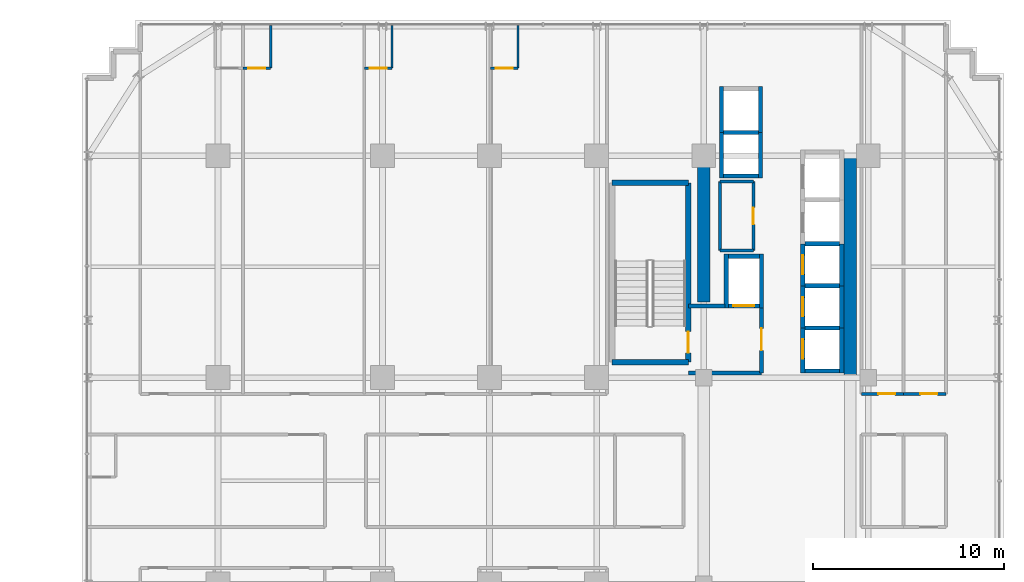
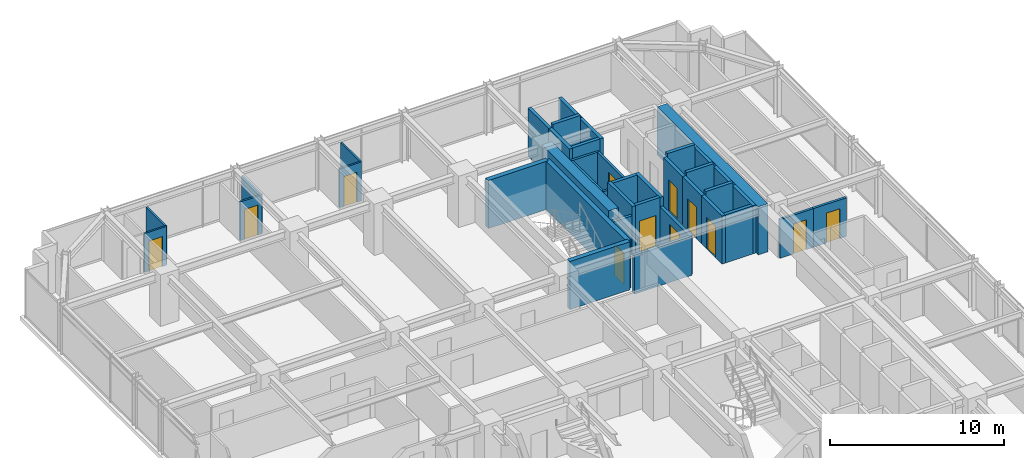
# One storey, part 28 of 32: 40 walls, 12 doors, 12 openings.
"""IFC4 building model written with IfcOpenShell, lengths in metres."""

from ifc_helpers import new_model, si_unit, direction, frame, frame_2d, origin, place, context, subcontext, project, spatial, rectangle, extrude, source, transform, mapped, material, layer, layer_set, type_object, element, fill, save


model = new_model("IFC4")

# Units and contexts
model_context = context("Model", 3, precision=1e-05, world=origin(), true_north=direction((0.0, 1.0)))
body_context = subcontext(model_context, "Body", "Model", "MODEL_VIEW")
ifc_project = project(units=[si_unit("LENGTHUNIT", "METRE"), si_unit("AREAUNIT", "SQUARE_METRE"), si_unit("VOLUMEUNIT", "CUBIC_METRE"), si_unit("PLANEANGLEUNIT", "RADIAN"), si_unit("MASSUNIT", "GRAM", prefix="KILO")], contexts=[model_context])

# Site, building, storey
site_placement = place(None, origin())
site = spatial("IfcSite", under=ifc_project, at=site_placement, CompositionType="ELEMENT")
building_placement = place(site_placement, origin())
building = spatial("IfcBuilding", under=site, at=building_placement, Name="Nahalor Promenade Grand Hotel", CompositionType="ELEMENT")
storey_placement = place(building_placement, frame((0.0, 0.0, 124.800048828125)))
storey = spatial("IfcBuildingStorey", under=building, at=storey_placement, Name="L31", CompositionType="ELEMENT", Elevation=124.800048828125)

# Walls
ifc_material_1 = material(Name="Concrete B-60 (C50/60)", Category="concrete")
ifc_layer_1 = layer(ifc_material_1, 0.64990234375)
ifc_layer_set_1 = layer_set([ifc_layer_1], Name="Concrete B-60 (C50/60)")
wall_type_1 = type_object("IfcWallType", Name="Wall-CoreShear-650", PredefinedType="SHEAR", material=ifc_layer_set_1)
shared_shape_1 = source(origin(), body_context, "Body", "SweptSolid", [
    extrude(rectangle(XDim=7.64990234375, YDim=0.64990234375, at=frame_2d((3.824951171875, 0.0))), origin(), (0.0, 0.0, 1.0), 3.3798828125),
])
wall_1_placement = place(storey_placement, frame((8.39990234375, 9.35009765625, 0.0), z_axis=(0.0, 0.0, 1.0), x_axis=(0.0, 1.0, 0.0)))
element("IfcWall", 1, at=wall_1_placement, inside=storey, type_object=wall_type_1, Name="CWALL-L31-NW", PredefinedType="SHEAR", context=body_context, shape_type="MappedRepresentation", body=[
    mapped(shared_shape_1, transform((0.0, 0.0, 0.0), scale=1.0)),
])
shared_shape_2 = source(origin(), body_context, "Body", "SweptSolid", [
    extrude(rectangle(XDim=11.60009765625, YDim=0.64990234375, at=frame_2d((5.800048828125, 0.0))), origin(), (0.0, 0.0, 1.0), 3.3798828125),
])
wall_2_placement = place(storey_placement, frame((16.050048828125, 5.39990234375, 0.0), z_axis=(0.0, 0.0, 1.0), x_axis=(0.0, 1.0, 0.0)))
element("IfcWall", 2, at=wall_2_placement, inside=storey, type_object=wall_type_1, Name="CWALL-L31-NE", PredefinedType="SHEAR", context=body_context, shape_type="MappedRepresentation", body=[
    mapped(shared_shape_2, transform((0.0, 0.0, 0.0), scale=1.0)),
])
ifc_material_2 = material(Name="Concrete B-50 (C40/50)", Category="concrete")
ifc_layer_2 = layer(ifc_material_2, 0.300048828125)
ifc_layer_set_2 = layer_set([ifc_layer_2], Name="Concrete B-50 (C40/50)")
wall_type_2 = type_object("IfcWallType", Name="Wall-ShaftShear-300", PredefinedType="SHEAR", material=ifc_layer_set_2)
shared_shape_3 = source(origin(), body_context, "Body", "SweptSolid", [
    extrude(rectangle(XDim=3.97998046875, YDim=0.300048828125, at=frame_2d((1.989990234375, 0.0))), origin(), (0.0, 0.0, 1.0), 3.3798828125),
])
for number, where, z_axis, x_axis, name in (
    (3, (3.610107421875, 6.2099609375, 0.0), (0.0, 0.0, 1.0), (1.0, 0.0, 0.0), "L31 Exit Stair ST1 Shaft Wall S"),
    (4, (3.610107421875, 15.590087890625, 0.0), (0.0, 0.0, 1.0), (1.0, 0.0, 0.0), "L31 Exit Stair ST1 Shaft Wall N"),
):
    element("IfcWall", number, at=place(storey_placement, frame(where, z_axis=z_axis, x_axis=x_axis)), inside=storey, type_object=wall_type_2, Name=name, PredefinedType="SHEAR", context=body_context, shape_type="MappedRepresentation", body=[
        mapped(shared_shape_3, transform((0.0, 0.0, 0.0), scale=1.0)),
    ])

# Wall, opening, door
shared_shape_4 = source(origin(), body_context, "Body", "SweptSolid", [
    extrude(rectangle(XDim=9.380126953125, YDim=0.300048828125, at=frame_2d((4.68994140625, 0.0))), origin(), (0.0, 0.0, 1.0), 3.3798828125),
])
wall_3_placement = place(storey_placement, frame((7.590087890625, 6.2099609375, 0.0), z_axis=(0.0, 0.0, 1.0), x_axis=(0.0, 1.0, 0.0)))
wall_3 = element("IfcWall", 5, at=wall_3_placement, inside=storey, type_object=wall_type_2, Name="L31 Exit Stair ST1 Shaft Wall E", PredefinedType="SHEAR", context=body_context, shape_type="MappedRepresentation", body=[
    mapped(shared_shape_4, transform((0.0, 0.0, 0.0), scale=1.0)),
])
opening_1_placement = place(wall_3_placement, frame((0.489990234375, 0.0, 0.0)))
opening_1 = element("IfcOpeningElement", 6, at=opening_1_placement, cuts=wall_3, Name="Opening D-ST1", PredefinedType="OPENING", context=body_context, shape_type="SweptSolid", body=[
    extrude(rectangle(XDim=1.10009765625, YDim=2.14990234375, at=frame_2d((0.550048828125, 1.074951171875))), frame((0.0, 0.159912109375, 0.0), z_axis=(0.0, -1.0, 0.0), x_axis=(1.0, 0.0, 0.0)), (0.0, 0.0, 1.0), 0.320068359375),
])
ifc_material_3 = material(Name="Steel S355JR", Category="steel")
door_type_1 = type_object("IfcDoorType", Name="Door-StairFire-1100", OperationType="NOTDEFINED", PredefinedType="DOOR", material=ifc_material_3)
shared_shape_5 = source(origin(), body_context, "Body", "SweptSolid", [
    extrude(rectangle(XDim=1.10009765625, YDim=2.14990234375, at=frame_2d((0.550048828125, 1.074951171875))), frame((0.0, 0.02490234375, 0.0), z_axis=(0.0, -1.0, 0.0), x_axis=(1.0, 0.0, 0.0)), (0.0, 0.0, 1.0), 0.050048828125),
])
door_1_placement = place(opening_1_placement, origin())
door_1 = element("IfcDoor", 7, at=door_1_placement, inside=storey, type_object=door_type_1, Name="DR-STAIR-ST1-L31", OperationType="SINGLE_SWING_RIGHT", OverallHeight=2.14990234375, OverallWidth=1.10009765625, PredefinedType="DOOR", context=body_context, shape_type="MappedRepresentation", body=[
    mapped(shared_shape_5, transform((0.0, 0.0, 0.0), scale=1.0)),
])
fill(opening_1, door_1)

# Walls
ifc_layer_3 = layer(ifc_material_2, 0.219970703125)
ifc_layer_set_3 = layer_set([ifc_layer_3], Name="Concrete B-50 (C40/50)")
wall_type_3 = type_object("IfcWallType", Name="Wall-LiftShaft-220", PredefinedType="SHEAR", material=ifc_layer_set_3)
shared_shape_6 = source(origin(), body_context, "Body", "SweptSolid", [
    extrude(rectangle(XDim=1.820068359375, YDim=0.219970703125, at=frame_2d((0.91015625, 0.0))), origin(), (0.0, 0.0, 1.0), 3.64990234375),
])
for number, where, z_axis, x_axis, name in (
    (8, (13.68994140625, 8.0, 0.0), (0.0, 0.0, 1.0), (1.0, 0.0, 0.0), "L31 Lift PL1 Hoistway Wall N"),
    (9, (13.68994140625, 10.199951171875, 0.0), (0.0, 0.0, 1.0), (1.0, 0.0, 0.0), "L31 Lift PL2 Hoistway Wall N"),
    (10, (13.68994140625, 12.39990234375, 0.0), (0.0, 0.0, 1.0), (1.0, 0.0, 0.0), "L31 Lift PL3 Hoistway Wall N"),
    (11, (9.43994140625, 18.22509765625, 0.0), (0.0, 0.0, 1.0), (1.0, 0.0, 0.0), "L31 Lift OB1 Hoistway Wall N"),
):
    element("IfcWall", number, at=place(storey_placement, frame(where, z_axis=z_axis, x_axis=x_axis)), inside=storey, type_object=wall_type_3, Name=name, PredefinedType="SHEAR", context=body_context, shape_type="MappedRepresentation", body=[
        mapped(shared_shape_6, transform((0.0, 0.0, 0.0), scale=1.0)),
    ])

# Wall, opening, door
shared_shape_7 = source(origin(), body_context, "Body", "SweptSolid", [
    extrude(rectangle(XDim=2.360107421875, YDim=0.219970703125, at=frame_2d((1.18017578125, 0.0))), origin(), (0.0, 0.0, 1.0), 3.3798828125),
])
wall_4_placement = place(storey_placement, frame((13.580078125, 5.639892578125, 0.0), z_axis=(0.0, 0.0, 1.0), x_axis=(0.0, 1.0, 0.0)))
wall_4 = element("IfcWall", 12, at=wall_4_placement, inside=storey, type_object=wall_type_3, Name="L31 Lift PL1 Hoistway Wall W", PredefinedType="SHEAR", context=body_context, shape_type="MappedRepresentation", body=[
    mapped(shared_shape_7, transform((0.0, 0.0, 0.0), scale=1.0)),
])
opening_2_placement = place(wall_4_placement, frame((0.760009765625, 0.0, 0.0)))
opening_2 = element("IfcOpeningElement", 13, at=opening_2_placement, cuts=wall_4, Name="Opening LD-01", PredefinedType="OPENING", context=body_context, shape_type="SweptSolid", body=[
    extrude(rectangle(XDim=1.0, YDim=2.199951171875, at=frame_2d((0.5, 1.10009765625))), frame((0.0, 0.119873046875, 0.0), z_axis=(0.0, -1.0, 0.0), x_axis=(1.0, 0.0, 0.0)), (0.0, 0.0, 1.0), 0.239990234375),
])
door_type_2 = type_object("IfcDoorType", Name="Door-LiftLanding-1000", OperationType="DOUBLE_DOOR_SLIDING", PredefinedType="DOOR", material=ifc_material_3)
shared_shape_8 = source(origin(), body_context, "Body", "SweptSolid", [
    extrude(rectangle(XDim=1.0, YDim=2.199951171875, at=frame_2d((0.5, 1.10009765625))), frame((0.0, 0.02490234375, 0.0), z_axis=(0.0, -1.0, 0.0), x_axis=(1.0, 0.0, 0.0)), (0.0, 0.0, 1.0), 0.050048828125),
])
door_2_placement = place(opening_2_placement, origin())
door_2 = element("IfcDoor", 14, at=door_2_placement, inside=storey, type_object=door_type_2, Name="DR-LIFT-PL1-L31", OperationType="DOUBLE_DOOR_SLIDING", OverallHeight=2.199951171875, OverallWidth=1.0, PredefinedType="DOOR", context=body_context, shape_type="MappedRepresentation", body=[
    mapped(shared_shape_8, transform((0.0, 0.0, 0.0), scale=1.0)),
])
fill(opening_2, door_2)

# Walls
wall_5_placement = place(storey_placement, frame((15.6201171875, 5.639892578125, 0.0), z_axis=(0.0, 0.0, 1.0), x_axis=(0.0, 1.0, 0.0)))
element("IfcWall", 15, at=wall_5_placement, inside=storey, type_object=wall_type_3, Name="L31 Lift PL1 Hoistway Wall E", PredefinedType="SHEAR", context=body_context, shape_type="MappedRepresentation", body=[
    mapped(shared_shape_7, transform((0.0, 0.0, 0.0), scale=1.0)),
])
shared_shape_9 = source(origin(), body_context, "Body", "SweptSolid", [
    extrude(rectangle(XDim=1.820068359375, YDim=0.219970703125, at=frame_2d((0.91015625, 0.0))), origin(), (0.0, 0.0, 1.0), 3.3798828125),
])
for number, where, z_axis, x_axis, name in (
    (16, (13.68994140625, 5.75, 0.0), (0.0, 0.0, 1.0), (1.0, 0.0, 0.0), "L31 Lift PL1 Hoistway Wall S"),
    (17, (9.43994140625, 15.949951171875, 0.0), (0.0, 0.0, 1.0), (1.0, 0.0, 0.0), "L31 Lift OB1 Hoistway Wall S"),
):
    element("IfcWall", number, at=place(storey_placement, frame(where, z_axis=z_axis, x_axis=x_axis)), inside=storey, type_object=wall_type_3, Name=name, PredefinedType="SHEAR", context=body_context, shape_type="MappedRepresentation", body=[
        mapped(shared_shape_9, transform((0.0, 0.0, 0.0), scale=1.0)),
    ])

# Wall, opening, door
shared_shape_10 = source(origin(), body_context, "Body", "SweptSolid", [
    extrude(rectangle(XDim=2.199951171875, YDim=0.219970703125, at=frame_2d((1.10009765625, 0.0))), origin(), (0.0, 0.0, 1.0), 3.3798828125),
])
wall_6_placement = place(storey_placement, frame((13.580078125, 8.0, 0.0), z_axis=(0.0, 0.0, 1.0), x_axis=(0.0, 1.0, 0.0)))
wall_6 = element("IfcWall", 18, at=wall_6_placement, inside=storey, type_object=wall_type_3, Name="L31 Lift PL2 Hoistway Wall W", PredefinedType="SHEAR", context=body_context, shape_type="MappedRepresentation", body=[
    mapped(shared_shape_10, transform((0.0, 0.0, 0.0), scale=1.0)),
])
opening_3_placement = place(wall_6_placement, frame((0.60009765625, 0.0, 0.0)))
opening_3 = element("IfcOpeningElement", 19, at=opening_3_placement, cuts=wall_6, Name="Opening LD-01", PredefinedType="OPENING", context=body_context, shape_type="SweptSolid", body=[
    extrude(rectangle(XDim=1.0, YDim=2.199951171875, at=frame_2d((0.5, 1.10009765625))), frame((0.0, 0.119873046875, 0.0), z_axis=(0.0, -1.0, 0.0), x_axis=(1.0, 0.0, 0.0)), (0.0, 0.0, 1.0), 0.239990234375),
])
door_3_placement = place(opening_3_placement, origin())
door_3 = element("IfcDoor", 20, at=door_3_placement, inside=storey, type_object=door_type_2, Name="DR-LIFT-PL2-L31", OperationType="DOUBLE_DOOR_SLIDING", OverallHeight=2.199951171875, OverallWidth=1.0, PredefinedType="DOOR", context=body_context, shape_type="MappedRepresentation", body=[
    mapped(shared_shape_8, transform((0.0, 0.0, 0.0), scale=1.0)),
])
fill(opening_3, door_3)

# Wall
wall_7_placement = place(storey_placement, frame((15.6201171875, 8.0, 0.0), z_axis=(0.0, 0.0, 1.0), x_axis=(0.0, 1.0, 0.0)))
element("IfcWall", 21, at=wall_7_placement, inside=storey, type_object=wall_type_3, Name="L31 Lift PL2 Hoistway Wall E", PredefinedType="SHEAR", context=body_context, shape_type="MappedRepresentation", body=[
    mapped(shared_shape_10, transform((0.0, 0.0, 0.0), scale=1.0)),
])

# Wall, opening, door
wall_8_placement = place(storey_placement, frame((13.580078125, 10.199951171875, 0.0), z_axis=(0.0, 0.0, 1.0), x_axis=(0.0, 1.0, 0.0)))
wall_8 = element("IfcWall", 22, at=wall_8_placement, inside=storey, type_object=wall_type_3, Name="L31 Lift PL3 Hoistway Wall W", PredefinedType="SHEAR", context=body_context, shape_type="MappedRepresentation", body=[
    mapped(shared_shape_10, transform((0.0, 0.0, 0.0), scale=1.0)),
])
opening_4_placement = place(wall_8_placement, frame((0.60009765625, 0.0, 0.0)))
opening_4 = element("IfcOpeningElement", 23, at=opening_4_placement, cuts=wall_8, Name="Opening LD-01", PredefinedType="OPENING", context=body_context, shape_type="SweptSolid", body=[
    extrude(rectangle(XDim=1.0, YDim=2.199951171875, at=frame_2d((0.5, 1.10009765625))), frame((0.0, 0.119873046875, 0.0), z_axis=(0.0, -1.0, 0.0), x_axis=(1.0, 0.0, 0.0)), (0.0, 0.0, 1.0), 0.239990234375),
])
door_4_placement = place(opening_4_placement, origin())
door_4 = element("IfcDoor", 24, at=door_4_placement, inside=storey, type_object=door_type_2, Name="DR-LIFT-PL3-L31", OperationType="DOUBLE_DOOR_SLIDING", OverallHeight=2.199951171875, OverallWidth=1.0, PredefinedType="DOOR", context=body_context, shape_type="MappedRepresentation", body=[
    mapped(shared_shape_8, transform((0.0, 0.0, 0.0), scale=1.0)),
])
fill(opening_4, door_4)

# Walls
wall_9_placement = place(storey_placement, frame((15.6201171875, 10.199951171875, 0.0), z_axis=(0.0, 0.0, 1.0), x_axis=(0.0, 1.0, 0.0)))
element("IfcWall", 25, at=wall_9_placement, inside=storey, type_object=wall_type_3, Name="L31 Lift PL3 Hoistway Wall E", PredefinedType="SHEAR", context=body_context, shape_type="MappedRepresentation", body=[
    mapped(shared_shape_10, transform((0.0, 0.0, 0.0), scale=1.0)),
])
shared_shape_11 = source(origin(), body_context, "Body", "SweptSolid", [
    extrude(rectangle(XDim=2.385009765625, YDim=0.219970703125, at=frame_2d((1.1923828125, 0.0))), origin(), (0.0, 0.0, 1.0), 3.3798828125),
])
for number, where, z_axis, x_axis, name in (
    (26, (9.330078125, 15.840087890625, 0.0), (0.0, 0.0, 1.0), (0.0, 1.0, 0.0), "L31 Lift OB1 Hoistway Wall W"),
    (27, (11.3701171875, 15.840087890625, 0.0), (0.0, 0.0, 1.0), (0.0, 1.0, 0.0), "L31 Lift OB1 Hoistway Wall E"),
    (28, (9.330078125, 18.22509765625, 0.0), (0.0, 0.0, 1.0), (0.0, 1.0, 0.0), "L31 Lift OB2 Hoistway Wall W"),
    (29, (11.3701171875, 18.22509765625, 0.0), (0.0, 0.0, 1.0), (0.0, 1.0, 0.0), "L31 Lift OB2 Hoistway Wall E"),
):
    element("IfcWall", number, at=place(storey_placement, frame(where, z_axis=z_axis, x_axis=x_axis)), inside=storey, type_object=wall_type_3, Name=name, PredefinedType="SHEAR", context=body_context, shape_type="MappedRepresentation", body=[
        mapped(shared_shape_11, transform((0.0, 0.0, 0.0), scale=1.0)),
    ])
shared_shape_12 = source(origin(), body_context, "Body", "SweptSolid", [
    extrude(rectangle(XDim=2.820068359375, YDim=0.219970703125, at=frame_2d((1.41015625, 0.0))), origin(), (0.0, 0.0, 1.0), 3.3798828125),
])
for number, where, z_axis, x_axis, name in (
    (30, (9.580078125, 9.0400390625, 0.0), (0.0, 0.0, 1.0), (0.0, 1.0, 0.0), "L31 Lift FL1 Hoistway Wall W"),
    (31, (11.419921875, 9.0400390625, 0.0), (0.0, 0.0, 1.0), (0.0, 1.0, 0.0), "L31 Lift FL1 Hoistway Wall E"),
):
    element("IfcWall", number, at=place(storey_placement, frame(where, z_axis=z_axis, x_axis=x_axis)), inside=storey, type_object=wall_type_3, Name=name, PredefinedType="SHEAR", context=body_context, shape_type="MappedRepresentation", body=[
        mapped(shared_shape_12, transform((0.0, 0.0, 0.0), scale=1.0)),
    ])

# Wall, opening, door
shared_shape_13 = source(origin(), body_context, "Body", "SweptSolid", [
    extrude(rectangle(XDim=1.6201171875, YDim=0.219970703125, at=frame_2d((0.81005859375, 0.0))), origin(), (0.0, 0.0, 1.0), 3.3798828125),
])
wall_10_placement = place(storey_placement, frame((9.68994140625, 9.14990234375, 0.0), z_axis=(0.0, 0.0, 1.0), x_axis=(1.0, 0.0, 0.0)))
wall_10 = element("IfcWall", 32, at=wall_10_placement, inside=storey, type_object=wall_type_3, Name="L31 Lift FL1 Hoistway Wall S", PredefinedType="SHEAR", context=body_context, shape_type="MappedRepresentation", body=[
    mapped(shared_shape_13, transform((0.0, 0.0, 0.0), scale=1.0)),
])
opening_5_placement = place(wall_10_placement, frame((0.260009765625, 0.0, 0.0)))
opening_5 = element("IfcOpeningElement", 33, at=opening_5_placement, cuts=wall_10, Name="Opening LD-02", PredefinedType="OPENING", context=body_context, shape_type="SweptSolid", body=[
    extrude(rectangle(XDim=1.10009765625, YDim=2.199951171875, at=frame_2d((0.550048828125, 1.10009765625))), frame((0.0, 0.119873046875, 0.0), z_axis=(0.0, -1.0, 0.0), x_axis=(1.0, 0.0, 0.0)), (0.0, 0.0, 1.0), 0.239990234375),
])
door_type_3 = type_object("IfcDoorType", Name="Door-LiftFF-1100", OperationType="DOUBLE_DOOR_SLIDING", PredefinedType="DOOR", material=ifc_material_3)
shared_shape_14 = source(origin(), body_context, "Body", "SweptSolid", [
    extrude(rectangle(XDim=1.10009765625, YDim=2.199951171875, at=frame_2d((0.550048828125, 1.10009765625))), frame((0.0, 0.02490234375, 0.0), z_axis=(0.0, -1.0, 0.0), x_axis=(1.0, 0.0, 0.0)), (0.0, 0.0, 1.0), 0.050048828125),
])
door_5_placement = place(opening_5_placement, frame((1.10009765625, 0.0, 0.0), z_axis=(0.0, 0.0, 1.0), x_axis=(-1.0, 0.0, 0.0)))
door_5 = element("IfcDoor", 34, at=door_5_placement, inside=storey, type_object=door_type_3, Name="DR-LIFT-FL1-L31", OperationType="DOUBLE_DOOR_SLIDING", OverallHeight=2.199951171875, OverallWidth=1.10009765625, PredefinedType="DOOR", context=body_context, shape_type="MappedRepresentation", body=[
    mapped(shared_shape_14, transform((0.0, 0.0, 0.0), scale=1.0)),
])
fill(opening_5, door_5)

# Walls
wall_11_placement = place(storey_placement, frame((9.68994140625, 11.75, 0.0), z_axis=(0.0, 0.0, 1.0), x_axis=(1.0, 0.0, 0.0)))
element("IfcWall", 35, at=wall_11_placement, inside=storey, type_object=wall_type_3, Name="L31 Lift FL1 Hoistway Wall N", PredefinedType="SHEAR", context=body_context, shape_type="MappedRepresentation", body=[
    mapped(shared_shape_13, transform((0.0, 0.0, 0.0), scale=1.0)),
])
ifc_material_4 = material(Name="Concrete B-40 (C32/40)", Category="concrete")
ifc_layer_4 = layer(ifc_material_4, 0.199951171875)
ifc_layer_set_4 = layer_set([ifc_layer_4], Name="Concrete B-40 (C32/40)")
wall_type_4 = type_object("IfcWallType", Name="Wall-PartFire-200", PredefinedType="PARTITIONING", material=ifc_layer_set_4)
shared_shape_15 = source(origin(), body_context, "Body", "SweptSolid", [
    extrude(rectangle(XDim=3.81982421875, YDim=0.199951171875, at=frame_2d((1.909912109375, 0.0))), origin(), (0.0, 0.0, 1.0), 2.719970703125),
])
wall_12_placement = place(storey_placement, frame((7.60009765625, 5.64990234375, 0.0), z_axis=(0.0, 0.0, 1.0), x_axis=(1.0, 0.0, 0.0)))
element("IfcWall", 36, at=wall_12_placement, inside=storey, type_object=wall_type_4, Name="W-L31-FF1-S", PredefinedType="PARTITIONING", context=body_context, shape_type="MappedRepresentation", body=[
    mapped(shared_shape_15, transform((0.0, 0.0, 0.0), scale=1.0)),
])
shared_shape_16 = source(origin(), body_context, "Body", "SweptSolid", [
    extrude(rectangle(XDim=1.89990234375, YDim=0.199951171875, at=frame_2d((0.949951171875, 0.0))), origin(), (0.0, 0.0, 1.0), 2.719970703125),
])
wall_13_placement = place(storey_placement, frame((7.60009765625, 9.14990234375, 0.0), z_axis=(0.0, 0.0, 1.0), x_axis=(1.0, 0.0, 0.0)))
element("IfcWall", 37, at=wall_13_placement, inside=storey, type_object=wall_type_4, Name="W-L31-FF1-N", PredefinedType="PARTITIONING", context=body_context, shape_type="MappedRepresentation", body=[
    mapped(shared_shape_16, transform((0.0, 0.0, 0.0), scale=1.0)),
])

# Wall, opening, door
shared_shape_17 = source(origin(), body_context, "Body", "SweptSolid", [
    extrude(rectangle(XDim=3.5, YDim=0.199951171875, at=frame_2d((1.75, 0.0))), origin(), (0.0, 0.0, 1.0), 2.719970703125),
])
wall_14_placement = place(storey_placement, frame((11.419921875, 5.64990234375, 0.0), z_axis=(0.0, 0.0, 1.0), x_axis=(0.0, 1.0, 0.0)))
wall_14 = element("IfcWall", 38, at=wall_14_placement, inside=storey, type_object=wall_type_4, Name="W-L31-FF1-E", PredefinedType="PARTITIONING", context=body_context, shape_type="MappedRepresentation", body=[
    mapped(shared_shape_17, transform((0.0, 0.0, 0.0), scale=1.0)),
])
opening_6_placement = place(wall_14_placement, frame((1.175048828125, 0.0, 0.0)))
opening_6 = element("IfcOpeningElement", 39, at=opening_6_placement, cuts=wall_14, Name="Opening D-FF1", PredefinedType="OPENING", context=body_context, shape_type="SweptSolid", body=[
    extrude(rectangle(XDim=1.14990234375, YDim=2.14990234375, at=frame_2d((0.574951171875, 1.074951171875))), frame((0.0, 0.10986328125, 0.0), z_axis=(0.0, -1.0, 0.0), x_axis=(1.0, 0.0, 0.0)), (0.0, 0.0, 1.0), 0.219970703125),
])
door_type_4 = type_object("IfcDoorType", Name="Door-FFLobby-1150", OperationType="NOTDEFINED", PredefinedType="DOOR", material=ifc_material_3)
shared_shape_18 = source(origin(), body_context, "Body", "SweptSolid", [
    extrude(rectangle(XDim=1.14990234375, YDim=2.14990234375, at=frame_2d((0.574951171875, 1.074951171875))), frame((0.0, 0.02490234375, 0.0), z_axis=(0.0, -1.0, 0.0), x_axis=(1.0, 0.0, 0.0)), (0.0, 0.0, 1.0), 0.050048828125),
])
door_6_placement = place(opening_6_placement, frame((1.14990234375, 0.0, 0.0), z_axis=(0.0, 0.0, 1.0), x_axis=(-1.0, 0.0, 0.0)))
door_6 = element("IfcDoor", 40, at=door_6_placement, inside=storey, type_object=door_type_4, Name="DR-L31-FFL1", OperationType="SINGLE_SWING_LEFT", OverallHeight=2.14990234375, OverallWidth=1.14990234375, PredefinedType="DOOR", context=body_context, shape_type="MappedRepresentation", body=[
    mapped(shared_shape_18, transform((0.0, 0.0, 0.0), scale=1.0)),
])
fill(opening_6, door_6)

# Walls
ifc_material_5 = material(Name="Acoustic Mineral Gypsum", Category="gypsum")
ifc_layer_5 = layer(ifc_material_5, 0.14990234375)
ifc_layer_set_5 = layer_set([ifc_layer_5], Name="Acoustic Mineral Gypsum")
wall_type_5 = type_object("IfcWallType", Name="Wall-PartService-150", PredefinedType="PARTITIONING", material=ifc_layer_set_5)
shared_shape_19 = source(origin(), body_context, "Body", "SweptSolid", [
    extrude(rectangle(XDim=1.75, YDim=0.14990234375, at=frame_2d((0.875, 0.0))), origin(), (0.0, 0.0, 1.0), 2.719970703125),
])
for number, where, z_axis, x_axis, name in (
    (41, (9.25, 12.050048828125, 0.0), (0.0, 0.0, 1.0), (1.0, 0.0, 0.0), "W-L31-CK1A-S"),
    (42, (9.25, 15.64990234375, 0.0), (0.0, 0.0, 1.0), (1.0, 0.0, 0.0), "W-L31-CK1A-N"),
):
    element("IfcWall", number, at=place(storey_placement, frame(where, z_axis=z_axis, x_axis=x_axis)), inside=storey, type_object=wall_type_5, Name=name, PredefinedType="PARTITIONING", context=body_context, shape_type="MappedRepresentation", body=[
        mapped(shared_shape_19, transform((0.0, 0.0, 0.0), scale=1.0)),
    ])
ifc_layer_6 = layer(ifc_material_5, 0.1201171875)
ifc_layer_set_6 = layer_set([ifc_layer_6], Name="Acoustic Mineral Gypsum")
wall_type_6 = type_object("IfcWallType", Name="Wall-PartBath-120", PredefinedType="PARTITIONING", material=ifc_layer_set_6)
shared_shape_20 = source(origin(), body_context, "Body", "SweptSolid", [
    extrude(rectangle(XDim=2.219970703125, YDim=0.1201171875, at=frame_2d((1.10986328125, 0.0))), origin(), (0.0, 0.0, 1.0), 2.719970703125),
])
for number, where, z_axis, x_axis, name in (
    (43, (-14.241943359375, 21.580078125, 0.0), (0.0, 0.0, 1.0), (0.0, 1.0, 0.0), "W-L31-N2-BV"),
    (44, (-7.89794921875, 21.580078125, 0.0), (0.0, 0.0, 1.0), (0.0, 1.0, 0.0), "W-L31-N3-BV"),
    (45, (-1.31005859375, 21.580078125, 0.0), (0.0, 0.0, 1.0), (0.0, 1.0, 0.0), "W-L31-N4-BV"),
):
    element("IfcWall", number, at=place(storey_placement, frame(where, z_axis=z_axis, x_axis=x_axis)), inside=storey, type_object=wall_type_6, Name=name, PredefinedType="PARTITIONING", context=body_context, shape_type="MappedRepresentation", body=[
        mapped(shared_shape_20, transform((0.0, 0.0, 0.0), scale=1.0)),
    ])

# Wall, opening, door
shared_shape_21 = source(origin(), body_context, "Body", "SweptSolid", [
    extrude(rectangle(XDim=1.449951171875, YDim=0.1201171875, at=frame_2d((0.72509765625, 0.0))), origin(), (0.0, 0.0, 1.0), 2.719970703125),
])
wall_15_placement = place(storey_placement, frame((-15.69189453125, 21.580078125, 0.0), z_axis=(0.0, 0.0, 1.0), x_axis=(1.0, 0.0, 0.0)))
wall_15 = element("IfcWall", 46, at=wall_15_placement, inside=storey, type_object=wall_type_6, Name="W-L31-N2-BH", PredefinedType="PARTITIONING", context=body_context, shape_type="MappedRepresentation", body=[
    mapped(shared_shape_21, transform((0.0, 0.0, 0.0), scale=1.0)),
])
opening_7_placement = place(wall_15_placement, frame((0.284912109375, 0.0, 0.0)))
opening_7 = element("IfcOpeningElement", 47, at=opening_7_placement, cuts=wall_15, Name="Opening D-03", PredefinedType="OPENING", context=body_context, shape_type="SweptSolid", body=[
    extrude(rectangle(XDim=0.8798828125, YDim=2.10009765625, at=frame_2d((0.43994140625, 1.050048828125))), frame((0.0, 0.070068359375, 0.0), z_axis=(0.0, -1.0, 0.0), x_axis=(1.0, 0.0, 0.0)), (0.0, 0.0, 1.0), 0.14013671875),
])
ifc_material_6 = material(Name="Fire-Rated Timber Composite", Category="wood")
door_type_5 = type_object("IfcDoorType", Name="Door-BathSwing-880", OperationType="NOTDEFINED", PredefinedType="DOOR", material=ifc_material_6)
shared_shape_22 = source(origin(), body_context, "Body", "SweptSolid", [
    extrude(rectangle(XDim=0.8798828125, YDim=2.10009765625, at=frame_2d((0.43994140625, 1.050048828125))), frame((0.0, 0.02490234375, 0.0), z_axis=(0.0, -1.0, 0.0), x_axis=(1.0, 0.0, 0.0)), (0.0, 0.0, 1.0), 0.050048828125),
])
door_7_placement = place(opening_7_placement, origin())
door_7 = element("IfcDoor", 48, at=door_7_placement, inside=storey, type_object=door_type_5, Name="DR-L31-N2-BATH", OperationType="SINGLE_SWING_RIGHT", OverallHeight=2.10009765625, OverallWidth=0.8798828125, PredefinedType="DOOR", context=body_context, shape_type="MappedRepresentation", body=[
    mapped(shared_shape_22, transform((0.0, 0.0, 0.0), scale=1.0)),
])
fill(opening_7, door_7)

wall_16_placement = place(storey_placement, frame((-9.347900390625, 21.580078125, 0.0), z_axis=(0.0, 0.0, 1.0), x_axis=(1.0, 0.0, 0.0)))
wall_16 = element("IfcWall", 49, at=wall_16_placement, inside=storey, type_object=wall_type_6, Name="W-L31-N3-BH", PredefinedType="PARTITIONING", context=body_context, shape_type="MappedRepresentation", body=[
    mapped(shared_shape_21, transform((0.0, 0.0, 0.0), scale=1.0)),
])
opening_8_placement = place(wall_16_placement, frame((0.284912109375, 0.0, 0.0)))
opening_8 = element("IfcOpeningElement", 50, at=opening_8_placement, cuts=wall_16, Name="Opening D-03", PredefinedType="OPENING", context=body_context, shape_type="SweptSolid", body=[
    extrude(rectangle(XDim=0.8798828125, YDim=2.10009765625, at=frame_2d((0.43994140625, 1.050048828125))), frame((0.0, 0.070068359375, 0.0), z_axis=(0.0, -1.0, 0.0), x_axis=(1.0, 0.0, 0.0)), (0.0, 0.0, 1.0), 0.14013671875),
])
door_8_placement = place(opening_8_placement, origin())
door_8 = element("IfcDoor", 51, at=door_8_placement, inside=storey, type_object=door_type_5, Name="DR-L31-N3-BATH", OperationType="SINGLE_SWING_RIGHT", OverallHeight=2.10009765625, OverallWidth=0.8798828125, PredefinedType="DOOR", context=body_context, shape_type="MappedRepresentation", body=[
    mapped(shared_shape_22, transform((0.0, 0.0, 0.0), scale=1.0)),
])
fill(opening_8, door_8)

wall_17_placement = place(storey_placement, frame((-2.760009765625, 21.580078125, 0.0), z_axis=(0.0, 0.0, 1.0), x_axis=(1.0, 0.0, 0.0)))
wall_17 = element("IfcWall", 52, at=wall_17_placement, inside=storey, type_object=wall_type_6, Name="W-L31-N4-BH", PredefinedType="PARTITIONING", context=body_context, shape_type="MappedRepresentation", body=[
    mapped(shared_shape_21, transform((0.0, 0.0, 0.0), scale=1.0)),
])
opening_9_placement = place(wall_17_placement, frame((0.284912109375, 0.0, 0.0)))
opening_9 = element("IfcOpeningElement", 53, at=opening_9_placement, cuts=wall_17, Name="Opening D-03", PredefinedType="OPENING", context=body_context, shape_type="SweptSolid", body=[
    extrude(rectangle(XDim=0.8798828125, YDim=2.10009765625, at=frame_2d((0.43994140625, 1.050048828125))), frame((0.0, 0.070068359375, 0.0), z_axis=(0.0, -1.0, 0.0), x_axis=(1.0, 0.0, 0.0)), (0.0, 0.0, 1.0), 0.14013671875),
])
door_9_placement = place(opening_9_placement, origin())
door_9 = element("IfcDoor", 54, at=door_9_placement, inside=storey, type_object=door_type_5, Name="DR-L31-N4-BATH", OperationType="SINGLE_SWING_RIGHT", OverallHeight=2.10009765625, OverallWidth=0.8798828125, PredefinedType="DOOR", context=body_context, shape_type="MappedRepresentation", body=[
    mapped(shared_shape_22, transform((0.0, 0.0, 0.0), scale=1.0)),
])
fill(opening_9, door_9)

# Wall
shared_shape_23 = source(origin(), body_context, "Body", "SweptSolid", [
    extrude(rectangle(XDim=3.599853515625, YDim=0.14990234375, at=frame_2d((1.7998046875, 0.0))), origin(), (0.0, 0.0, 1.0), 2.719970703125),
])
wall_18_placement = place(storey_placement, frame((9.25, 12.050048828125, 0.0), z_axis=(0.0, 0.0, 1.0), x_axis=(0.0, 1.0, 0.0)))
element("IfcWall", 55, at=wall_18_placement, inside=storey, type_object=wall_type_5, Name="W-L31-CK1A-W", PredefinedType="PARTITIONING", context=body_context, shape_type="MappedRepresentation", body=[
    mapped(shared_shape_23, transform((0.0, 0.0, 0.0), scale=1.0)),
])

# Wall, opening, door
wall_19_placement = place(storey_placement, frame((11.0, 12.050048828125, 0.0), z_axis=(0.0, 0.0, 1.0), x_axis=(0.0, 1.0, 0.0)))
wall_19 = element("IfcWall", 56, at=wall_19_placement, inside=storey, type_object=wall_type_5, Name="W-L31-CK1A-E", PredefinedType="PARTITIONING", context=body_context, shape_type="MappedRepresentation", body=[
    mapped(shared_shape_23, transform((0.0, 0.0, 0.0), scale=1.0)),
])
opening_10_placement = place(wall_19_placement, frame((1.360107421875, 0.0, 0.0)))
opening_10 = element("IfcOpeningElement", 57, at=opening_10_placement, cuts=wall_19, Name="Opening D-03", PredefinedType="OPENING", context=body_context, shape_type="SweptSolid", body=[
    extrude(rectangle(XDim=0.8798828125, YDim=2.10009765625, at=frame_2d((0.43994140625, 1.050048828125))), frame((0.0, 0.0849609375, 0.0), z_axis=(0.0, -1.0, 0.0), x_axis=(1.0, 0.0, 0.0)), (0.0, 0.0, 1.0), 0.169921875),
])
door_10_placement = place(opening_10_placement, origin())
door_10 = element("IfcDoor", 58, at=door_10_placement, inside=storey, type_object=door_type_5, Name="DR-L31-CK1A", OperationType="SINGLE_SWING_LEFT", OverallHeight=2.10009765625, OverallWidth=0.8798828125, PredefinedType="DOOR", context=body_context, shape_type="MappedRepresentation", body=[
    mapped(shared_shape_22, transform((0.0, 0.0, 0.0), scale=1.0)),
])
fill(opening_10, door_10)

ifc_layer_7 = layer(ifc_material_5, 0.159912109375)
ifc_layer_set_7 = layer_set([ifc_layer_7], Name="Acoustic Mineral Gypsum")
wall_type_7 = type_object("IfcWallType", Name="Wall-PartCorridor-160", PredefinedType="PARTITIONING", material=ifc_layer_set_7)
shared_shape_24 = source(origin(), body_context, "Body", "SweptSolid", [
    extrude(rectangle(XDim=2.205078125, YDim=0.159912109375, at=frame_2d((1.1025390625, 0.0))), origin(), (0.0, 0.0, 1.0), 2.719970703125),
])
wall_20_placement = place(storey_placement, frame((16.64990234375, 4.550048828125, 0.0), z_axis=(0.0, 0.0, 1.0), x_axis=(1.0, 0.0, 0.0)))
wall_20 = element("IfcWall", 59, at=wall_20_placement, inside=storey, type_object=wall_type_7, Name="W-L31-ENE1-S", PredefinedType="PARTITIONING", context=body_context, shape_type="MappedRepresentation", body=[
    mapped(shared_shape_24, transform((0.0, 0.0, 0.0), scale=1.0)),
])
opening_11_placement = place(wall_20_placement, frame((0.875, 0.0, 0.0)))
opening_11 = element("IfcOpeningElement", 60, at=opening_11_placement, cuts=wall_20, Name="Opening D-03", PredefinedType="OPENING", context=body_context, shape_type="SweptSolid", body=[
    extrude(rectangle(XDim=0.8798828125, YDim=2.10009765625, at=frame_2d((0.43994140625, 1.050048828125))), frame((0.0, 0.08984375, 0.0), z_axis=(0.0, -1.0, 0.0), x_axis=(1.0, 0.0, 0.0)), (0.0, 0.0, 1.0), 0.179931640625),
])
door_11_placement = place(opening_11_placement, origin())
door_11 = element("IfcDoor", 61, at=door_11_placement, inside=storey, type_object=door_type_5, Name="DR-L31-ENE1", OperationType="SINGLE_SWING_RIGHT", OverallHeight=2.10009765625, OverallWidth=0.8798828125, PredefinedType="DOOR", context=body_context, shape_type="MappedRepresentation", body=[
    mapped(shared_shape_22, transform((0.0, 0.0, 0.0), scale=1.0)),
])
fill(opening_11, door_11)

wall_21_placement = place(storey_placement, frame((18.85498046875, 4.550048828125, 0.0), z_axis=(0.0, 0.0, 1.0), x_axis=(1.0, 0.0, 0.0)))
wall_21 = element("IfcWall", 62, at=wall_21_placement, inside=storey, type_object=wall_type_7, Name="W-L31-ENE2-S", PredefinedType="PARTITIONING", context=body_context, shape_type="MappedRepresentation", body=[
    mapped(shared_shape_24, transform((0.0, 0.0, 0.0), scale=1.0)),
])
opening_12_placement = place(wall_21_placement, frame((0.875, 0.0, 0.0)))
opening_12 = element("IfcOpeningElement", 63, at=opening_12_placement, cuts=wall_21, Name="Opening D-03", PredefinedType="OPENING", context=body_context, shape_type="SweptSolid", body=[
    extrude(rectangle(XDim=0.8798828125, YDim=2.10009765625, at=frame_2d((0.43994140625, 1.050048828125))), frame((0.0, 0.08984375, 0.0), z_axis=(0.0, -1.0, 0.0), x_axis=(1.0, 0.0, 0.0)), (0.0, 0.0, 1.0), 0.179931640625),
])
door_12_placement = place(opening_12_placement, origin())
door_12 = element("IfcDoor", 64, at=door_12_placement, inside=storey, type_object=door_type_5, Name="DR-L31-ENE2", OperationType="SINGLE_SWING_LEFT", OverallHeight=2.10009765625, OverallWidth=0.8798828125, PredefinedType="DOOR", context=body_context, shape_type="MappedRepresentation", body=[
    mapped(shared_shape_22, transform((0.0, 0.0, 0.0), scale=1.0)),
])
fill(opening_12, door_12)

save(model, "model.ifc")
